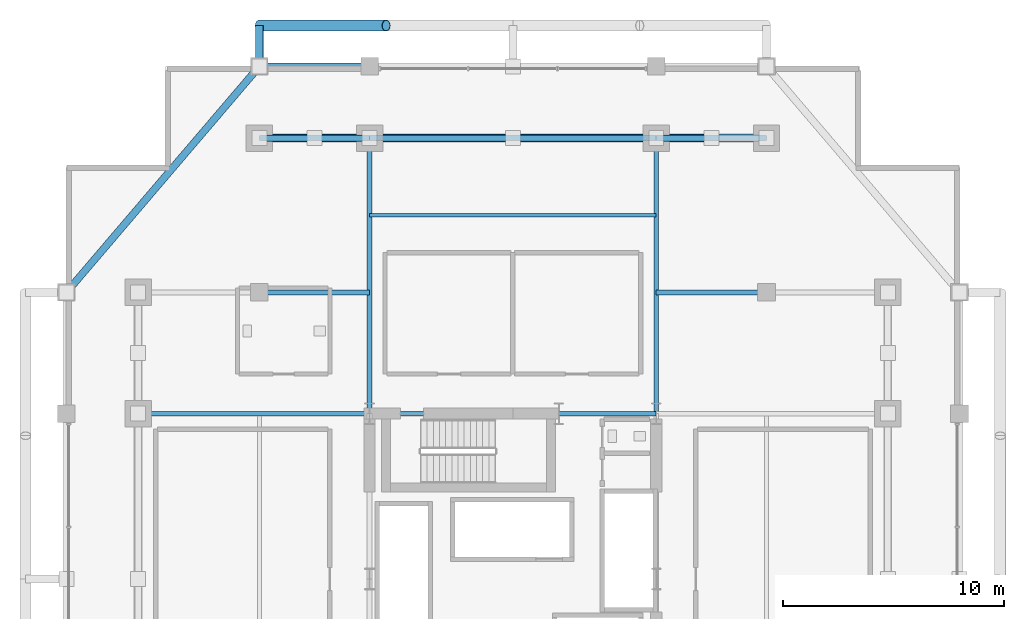
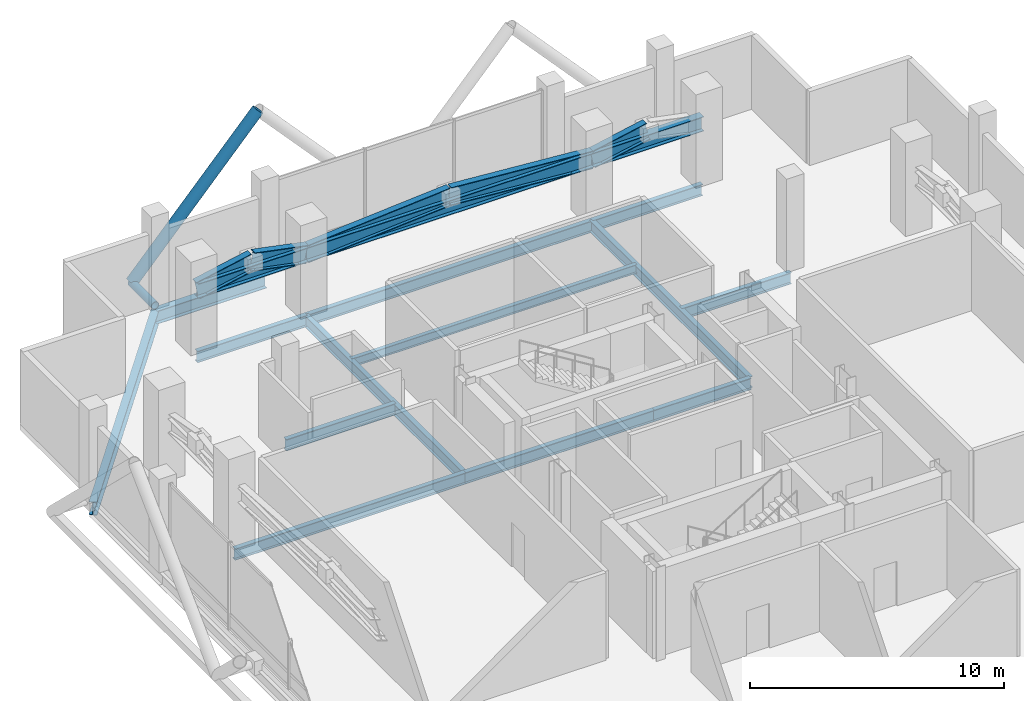
# One storey, part 13 of 22: 13 beams, 10 members.
"""IFC4 building model written with IfcOpenShell, lengths in metres."""

from ifc_helpers import new_model, si_unit, direction, frame, origin, origin_2d, place, context, subcontext, project, spatial, hollow_circle, i_section, extrude, material, material_profile, profile_set, type_object, element, save


model = new_model("IFC4")

# Units and contexts
model_context = context("Model", 3, precision=1e-05, world=origin(), true_north=direction((0.0, 1.0)))
body_context = subcontext(model_context, "Body", "Model", "MODEL_VIEW")
ifc_project = project(units=[si_unit("LENGTHUNIT", "METRE"), si_unit("AREAUNIT", "SQUARE_METRE"), si_unit("VOLUMEUNIT", "CUBIC_METRE"), si_unit("PLANEANGLEUNIT", "RADIAN"), si_unit("MASSUNIT", "GRAM", prefix="KILO")], contexts=[model_context])

# Site, building, storey
site_placement = place(None, origin())
site = spatial("IfcSite", under=ifc_project, at=site_placement, CompositionType="ELEMENT")
building_placement = place(site_placement, origin())
building = spatial("IfcBuilding", under=site, at=building_placement, Name="Barlavira Tower and Art Museum", CompositionType="ELEMENT")
storey_placement = place(building_placement, frame((0.0, 0.0, 120.60009765625)))
storey = spatial("IfcBuildingStorey", under=building, at=storey_placement, Name="L30", CompositionType="ELEMENT", Elevation=120.60009765625)

# Members
ifc_material = material(Name="Steel S355", Category="steel")
ifc_material_profile_1 = material_profile(ifc_material, i_section(OverallWidth=0.35595703125, OverallDepth=0.695068359375, WebThickness=0.014892578125, FlangeThickness=0.023681640625, at=origin_2d()), Name="W690x192.0")
ifc_profile_set_1 = profile_set([ifc_material_profile_1], Name="Steel S355")
member_type_1 = type_object("IfcMemberType", Name="Belt Truss Chord Member W690x192 Steel S355", PredefinedType="CHORD", material=ifc_profile_set_1)
member_1_placement = place(storey_placement, frame((-11.5, 20.0, 2.64990234375), z_axis=(1.0, 0.0, 0.0), x_axis=(0.0, 1.0, 0.0)))
element("IfcMember", 1, at=member_1_placement, inside=storey, type_object=member_type_1, Name="L30 Belt Truss Bottom Chord BN1", PredefinedType="CHORD", context=body_context, shape_type="SweptSolid", body=[
    extrude(i_section(OverallWidth=0.35595703125, OverallDepth=0.695068359375, WebThickness=0.014892578125, FlangeThickness=0.023681640625, at=origin_2d()), origin(), (0.0, 0.0, 1.0), 5.0),
])
member_2_placement = place(storey_placement, frame((-6.5, 20.0, 2.64990234375), z_axis=(1.0, 0.0, 0.0), x_axis=(0.0, 1.0, 0.0)))
element("IfcMember", 2, at=member_2_placement, inside=storey, type_object=member_type_1, Name="L30 Belt Truss Bottom Chord BN2", PredefinedType="CHORD", context=body_context, shape_type="SweptSolid", body=[
    extrude(i_section(OverallWidth=0.35595703125, OverallDepth=0.695068359375, WebThickness=0.014892578125, FlangeThickness=0.023681640625, at=origin_2d()), origin(), (0.0, 0.0, 1.0), 13.0),
])
member_3_placement = place(storey_placement, frame((6.5, 20.0, 2.64990234375), z_axis=(1.0, 0.0, 0.0), x_axis=(0.0, 1.0, 0.0)))
element("IfcMember", 3, at=member_3_placement, inside=storey, type_object=member_type_1, Name="L30 Belt Truss Bottom Chord BN3", PredefinedType="CHORD", context=body_context, shape_type="SweptSolid", body=[
    extrude(i_section(OverallWidth=0.35595703125, OverallDepth=0.695068359375, WebThickness=0.014892578125, FlangeThickness=0.023681640625, at=origin_2d()), origin(), (0.0, 0.0, 1.0), 5.0),
])
ifc_material_profile_2 = material_profile(ifc_material, i_section(OverallWidth=0.2939453125, OverallDepth=0.85107421875, WebThickness=0.017333984375, FlangeThickness=0.0283203125, at=origin_2d()), Name="W840x251.0")
ifc_profile_set_2 = profile_set([ifc_material_profile_2], Name="Steel S355")
member_type_2 = type_object("IfcMemberType", Name="Belt Truss Diagonal Brace W840x251 Steel S355", PredefinedType="BRACE", material=ifc_profile_set_2)
for number, where, z_axis, x_axis, name in (
    (4, (-11.5, 20.0, 2.64990234375), (0.980580675691, 0.0, 0.196116135138), (0.0, 1.0, 0.0), "L30 Belt Truss Diagonal BN1-1"),
    (5, (-9.0, 20.0, 3.14990234375), (0.980580675691, 0.0, -0.196116135138), (0.0, 1.0, 0.0), "L30 Belt Truss Diagonal BN1-2"),
):
    element("IfcMember", number, at=place(storey_placement, frame(where, z_axis=z_axis, x_axis=x_axis)), inside=storey, type_object=member_type_2, Name=name, PredefinedType="BRACE", context=body_context, shape_type="SweptSolid", body=[
        extrude(i_section(OverallWidth=0.2939453125, OverallDepth=0.85107421875, WebThickness=0.017333984375, FlangeThickness=0.0283203125, at=origin_2d()), origin(), (0.0, 0.0, 1.0), 2.549560546875),
    ])
for number, where, z_axis, x_axis, name in (
    (6, (-6.5, 20.0, 2.64990234375), (0.997054485502, 0.0, 0.076696498885), (0.0, 1.0, 0.0), "L30 Belt Truss Diagonal BN2-1"),
    (7, (0.0, 20.0, 3.14990234375), (0.997054485502, 0.0, -0.076696498885), (0.0, 1.0, 0.0), "L30 Belt Truss Diagonal BN2-2"),
):
    element("IfcMember", number, at=place(storey_placement, frame(where, z_axis=z_axis, x_axis=x_axis)), inside=storey, type_object=member_type_2, Name=name, PredefinedType="BRACE", context=body_context, shape_type="SweptSolid", body=[
        extrude(i_section(OverallWidth=0.2939453125, OverallDepth=0.85107421875, WebThickness=0.017333984375, FlangeThickness=0.0283203125, at=origin_2d()), origin(), (0.0, 0.0, 1.0), 6.519287109375),
    ])
member_4_placement = place(storey_placement, frame((6.5, 20.0, 2.64990234375), z_axis=(0.980580675691, 0.0, 0.196116135138), x_axis=(0.0, 1.0, 0.0)))
element("IfcMember", 8, at=member_4_placement, inside=storey, type_object=member_type_2, Name="L30 Belt Truss Diagonal BN3-1", PredefinedType="BRACE", context=body_context, shape_type="SweptSolid", body=[
    extrude(i_section(OverallWidth=0.2939453125, OverallDepth=0.85107421875, WebThickness=0.017333984375, FlangeThickness=0.0283203125, at=origin_2d()), origin(), (0.0, 0.0, 1.0), 2.549560546875),
])
ifc_material_profile_3 = material_profile(ifc_material, hollow_circle(Radius=0.25390625, WallThickness=0.022216796875, at=origin_2d()), Name="CHS 508.0x22.2")
ifc_profile_set_3 = profile_set([ifc_material_profile_3], Name="Steel S355")
member_type_3 = type_object("IfcMemberType", Name="Pale-Metal Exoskeleton Diagrid Tube CHS 508x22 Steel S355", PredefinedType="BRACE", material=ifc_profile_set_3)
member_5_placement = place(storey_placement, frame((-11.5, 25.10009765625, -0.1201171875), z_axis=(0.67412750573, 0.0, 0.738614991736), x_axis=(0.0, 1.0, 0.0)))
element("IfcMember", 9, at=member_5_placement, inside=storey, type_object=member_type_3, Name="L30 Exoskeleton Diagrid Tube N", PredefinedType="BRACE", context=body_context, shape_type="SweptSolid", body=[
    extrude(hollow_circle(Radius=0.25390625, WallThickness=0.022216796875, at=origin_2d()), origin(), (0.0, 0.0, 1.0), 8.529541015625),
])
ifc_material_profile_4 = material_profile(ifc_material, hollow_circle(Radius=0.177734375, WallThickness=0.01611328125, at=origin_2d()), Name="CHS 355.6x16.0")
ifc_profile_set_4 = profile_set([ifc_material_profile_4], Name="Steel S355")
member_type_4 = type_object("IfcMemberType", Name="Pale-Metal Exoskeleton Tie Strut CHS 356x16 Steel S355", PredefinedType="STRUT", material=ifc_profile_set_4)
member_6_placement = place(storey_placement, frame((-11.5, 25.10009765625, -0.1201171875), z_axis=(0.0, -1.0, 0.0), x_axis=(1.0, 0.0, 0.0)))
element("IfcMember", 10, at=member_6_placement, inside=storey, type_object=member_type_4, Name="L30 Exoskeleton Tie Strut N1", PredefinedType="STRUT", context=body_context, shape_type="SweptSolid", body=[
    extrude(hollow_circle(Radius=0.177734375, WallThickness=0.01611328125, at=origin_2d()), origin(), (0.0, 0.0, 1.0), 1.85009765625),
])

# Beams
ifc_material_profile_5 = material_profile(ifc_material, i_section(OverallWidth=0.327880859375, OverallDepth=0.62890625, WebThickness=0.013916015625, FlangeThickness=0.021484375, at=origin_2d()), Name="W610x174.0")
ifc_profile_set_5 = profile_set([ifc_material_profile_5], Name="Steel S355")
beam_type_1 = type_object("IfcBeamType", Name="Perimeter Spandrel Edge Beam W610x174 Steel S355", PredefinedType="SPANDREL", material=ifc_profile_set_5)
beam_1_placement = place(storey_placement, frame((-11.5, 23.25, -0.614501953125), z_axis=(1.0, 0.0, 0.0), x_axis=(0.0, 1.0, 0.0)))
element("IfcBeam", 11, at=beam_1_placement, inside=storey, type_object=beam_type_1, Name="L30 Spandrel 11", PredefinedType="SPANDREL", context=body_context, shape_type="SweptSolid", body=[
    extrude(i_section(OverallWidth=0.327880859375, OverallDepth=0.62890625, WebThickness=0.013916015625, FlangeThickness=0.021484375, at=origin_2d()), origin(), (0.0, 0.0, 1.0), 5.0),
])
beam_2_placement = place(storey_placement, frame((-11.5, 23.25, -0.614501953125), z_axis=(-0.649262379928, -0.760564502202, 0.0), x_axis=(0.760564502202, -0.649262379928, 0.0)))
element("IfcBeam", 12, at=beam_2_placement, inside=storey, type_object=beam_type_1, Name="L30 Spandrel 12", PredefinedType="SPANDREL", context=body_context, shape_type="SweptSolid", body=[
    extrude(i_section(OverallWidth=0.327880859375, OverallDepth=0.62890625, WebThickness=0.013916015625, FlangeThickness=0.021484375, at=origin_2d()), origin(), (0.0, 0.0, 1.0), 13.476806640625),
])
ifc_material_profile_6 = material_profile(ifc_material, i_section(OverallWidth=0.214111328125, OverallDepth=0.549072265625, WebThickness=0.0146484375, FlangeThickness=0.023681640625, at=origin_2d()), Name="W530x138.0")
ifc_profile_set_6 = profile_set([ifc_material_profile_6], Name="Steel S355")
beam_type_2 = type_object("IfcBeamType", Name="Zone 1 Primary Floor Girder W530x138 Steel S355", PredefinedType="BEAM", material=ifc_profile_set_6)
beam_3_placement = place(storey_placement, frame((-6.5, 7.5, -0.57470703125), z_axis=(1.0, 0.0, 0.0), x_axis=(0.0, 1.0, 0.0)))
element("IfcBeam", 13, at=beam_3_placement, inside=storey, type_object=beam_type_2, Name="L30 Girder C-N1", PredefinedType="BEAM", context=body_context, shape_type="SweptSolid", body=[
    extrude(i_section(OverallWidth=0.214111328125, OverallDepth=0.549072265625, WebThickness=0.0146484375, FlangeThickness=0.023681640625, at=origin_2d()), origin(), (0.0, 0.0, 1.0), 8.580078125),
])
beam_4_placement = place(storey_placement, frame((2.080078125, 7.5, -0.57470703125), z_axis=(1.0, 0.0, 0.0), x_axis=(0.0, 1.0, 0.0)))
element("IfcBeam", 14, at=beam_4_placement, inside=storey, type_object=beam_type_2, Name="L30 Girder C-N2", PredefinedType="BEAM", context=body_context, shape_type="SweptSolid", body=[
    extrude(i_section(OverallWidth=0.214111328125, OverallDepth=0.549072265625, WebThickness=0.0146484375, FlangeThickness=0.023681640625, at=origin_2d()), origin(), (0.0, 0.0, 1.0), 4.419921875),
])
beam_5_placement = place(storey_placement, frame((-11.5, 20.0, -0.57470703125), z_axis=(1.0, 0.0, 0.0), x_axis=(0.0, 1.0, 0.0)))
element("IfcBeam", 15, at=beam_5_placement, inside=storey, type_object=beam_type_2, Name="L30 Girder M-N1", PredefinedType="BEAM", context=body_context, shape_type="SweptSolid", body=[
    extrude(i_section(OverallWidth=0.214111328125, OverallDepth=0.549072265625, WebThickness=0.0146484375, FlangeThickness=0.023681640625, at=origin_2d()), origin(), (0.0, 0.0, 1.0), 5.0),
])
beam_6_placement = place(storey_placement, frame((-6.5, 20.0, -0.57470703125), z_axis=(1.0, 0.0, 0.0), x_axis=(0.0, 1.0, 0.0)))
element("IfcBeam", 16, at=beam_6_placement, inside=storey, type_object=beam_type_2, Name="L30 Girder M-N2", PredefinedType="BEAM", context=body_context, shape_type="SweptSolid", body=[
    extrude(i_section(OverallWidth=0.214111328125, OverallDepth=0.549072265625, WebThickness=0.0146484375, FlangeThickness=0.023681640625, at=origin_2d()), origin(), (0.0, 0.0, 1.0), 13.0),
])
beam_7_placement = place(storey_placement, frame((6.5, 20.0, -0.57470703125), z_axis=(1.0, 0.0, 0.0), x_axis=(0.0, 1.0, 0.0)))
element("IfcBeam", 17, at=beam_7_placement, inside=storey, type_object=beam_type_2, Name="L30 Girder M-N3", PredefinedType="BEAM", context=body_context, shape_type="SweptSolid", body=[
    extrude(i_section(OverallWidth=0.214111328125, OverallDepth=0.549072265625, WebThickness=0.0146484375, FlangeThickness=0.023681640625, at=origin_2d()), origin(), (0.0, 0.0, 1.0), 5.0),
])
for number, where, z_axis, x_axis, name in (
    (18, (-6.5, 7.5, -0.57470703125), (0.0, 1.0, 0.0), (-1.0, 0.0, 0.0), "L30 Girder R-N1"),
    (19, (6.5, 7.5, -0.57470703125), (0.0, 1.0, 0.0), (-1.0, 0.0, 0.0), "L30 Girder R-N2"),
):
    element("IfcBeam", number, at=place(storey_placement, frame(where, z_axis=z_axis, x_axis=x_axis)), inside=storey, type_object=beam_type_2, Name=name, PredefinedType="BEAM", context=body_context, shape_type="SweptSolid", body=[
        extrude(i_section(OverallWidth=0.214111328125, OverallDepth=0.549072265625, WebThickness=0.0146484375, FlangeThickness=0.023681640625, at=origin_2d()), origin(), (0.0, 0.0, 1.0), 12.5),
    ])
beam_8_placement = place(storey_placement, frame((-17.0, 7.5, -0.57470703125), z_axis=(1.0, 0.0, 0.0), x_axis=(0.0, 1.0, 0.0)))
element("IfcBeam", 20, at=beam_8_placement, inside=storey, type_object=beam_type_2, Name="L30 Girder R-W2", PredefinedType="BEAM", context=body_context, shape_type="SweptSolid", body=[
    extrude(i_section(OverallWidth=0.214111328125, OverallDepth=0.549072265625, WebThickness=0.0146484375, FlangeThickness=0.023681640625, at=origin_2d()), origin(), (0.0, 0.0, 1.0), 10.5),
])
for number, where, z_axis, x_axis, name in (
    (21, (-11.5, 13.0, -0.57470703125), (1.0, 0.0, 0.0), (0.0, 1.0, 0.0), "L30 Girder I-N2"),
    (22, (6.5, 13.0, -0.57470703125), (1.0, 0.0, 0.0), (0.0, 1.0, 0.0), "L30 Girder I-N3"),
):
    element("IfcBeam", number, at=place(storey_placement, frame(where, z_axis=z_axis, x_axis=x_axis)), inside=storey, type_object=beam_type_2, Name=name, PredefinedType="BEAM", context=body_context, shape_type="SweptSolid", body=[
        extrude(i_section(OverallWidth=0.214111328125, OverallDepth=0.549072265625, WebThickness=0.0146484375, FlangeThickness=0.023681640625, at=origin_2d()), origin(), (0.0, 0.0, 1.0), 5.0),
    ])
ifc_material_profile_7 = material_profile(ifc_material, i_section(OverallWidth=0.179931640625, OverallDepth=0.4130859375, WebThickness=0.009765625, FlangeThickness=0.01611328125, at=origin_2d()), Name="W410x75.0")
ifc_profile_set_7 = profile_set([ifc_material_profile_7], Name="Steel S355")
beam_type_3 = type_object("IfcBeamType", Name="Zone 2 Composite Floor Joist W410x75 Steel S355", PredefinedType="JOIST", material=ifc_profile_set_7)
beam_9_placement = place(storey_placement, frame((-6.5, 16.5, -0.506591796875), z_axis=(1.0, 0.0, 0.0), x_axis=(0.0, 1.0, 0.0)))
element("IfcBeam", 23, at=beam_9_placement, inside=storey, type_object=beam_type_3, Name="L30 Joist C2", PredefinedType="JOIST", context=body_context, shape_type="SweptSolid", body=[
    extrude(i_section(OverallWidth=0.179931640625, OverallDepth=0.4130859375, WebThickness=0.009765625, FlangeThickness=0.01611328125, at=origin_2d()), origin(), (0.0, 0.0, 1.0), 13.0),
])

save(model, "model.ifc")
